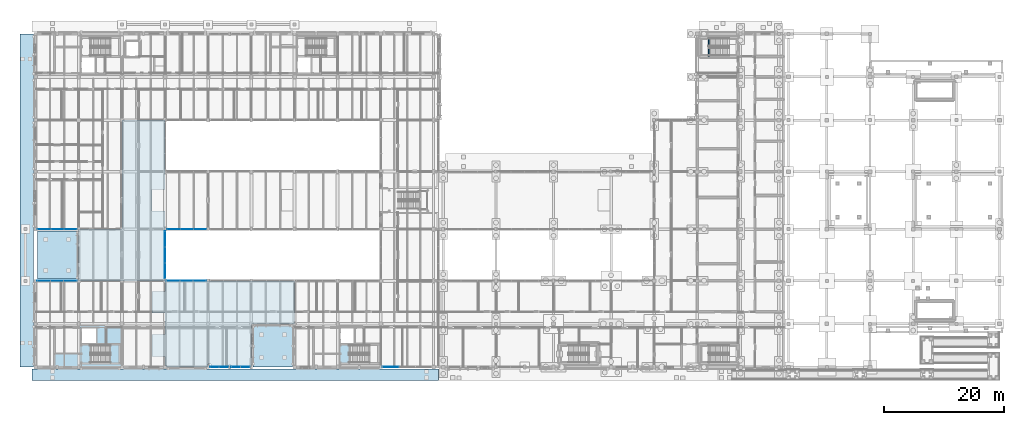
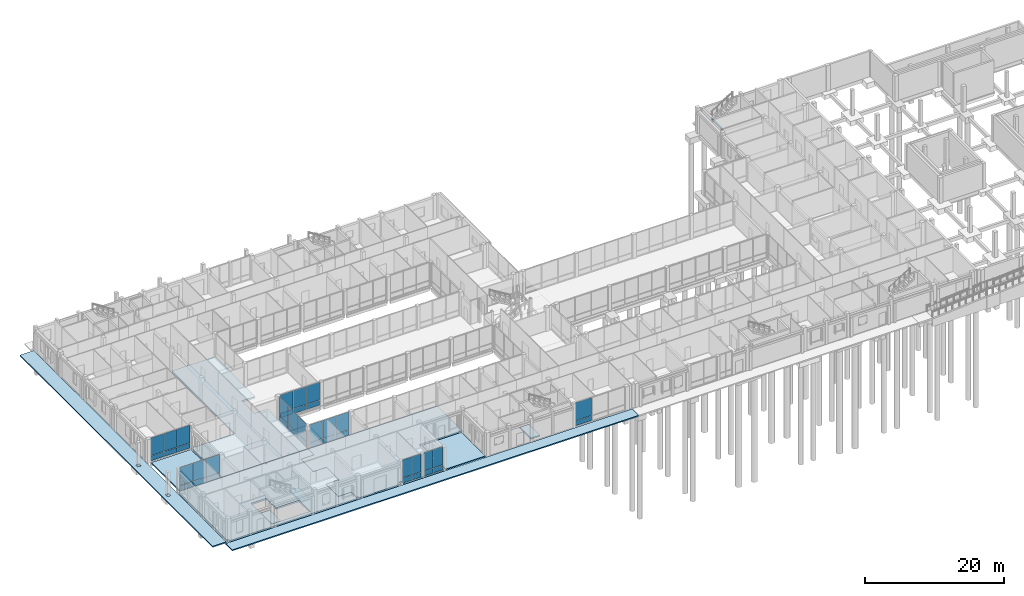
# One storey, part 62 of 104: 40 plates, 10 slabs, 1 beam, 10 elements without a shape of their own.
"""IFC4 building model written with IfcOpenShell, lengths in metres."""

from ifc_helpers import new_model, si_unit, direction, frame, origin, origin_2d, place, context, subcontext, project, spatial, polyline, rectangle, i_section, outline, extrude, material, layer, layer_set, material_profile, profile_set, type_object, element, aggregate, save


model = new_model("IFC4")

# Units and contexts
model_context = context("Model", 3, precision=1e-05, world=origin(), true_north=direction((0.0, 1.0)))
body_context = subcontext(model_context, "Body", "Model", "MODEL_VIEW")
ifc_project = project(units=[si_unit("LENGTHUNIT", "METRE"), si_unit("AREAUNIT", "SQUARE_METRE"), si_unit("VOLUMEUNIT", "CUBIC_METRE"), si_unit("PLANEANGLEUNIT", "RADIAN"), si_unit("MASSUNIT", "GRAM", prefix="KILO")], contexts=[model_context])

# Site, building, storey
site_placement = place(None, origin())
site = spatial("IfcSite", under=ifc_project, at=site_placement, CompositionType="ELEMENT")
building_placement = place(site_placement, origin())
building = spatial("IfcBuilding", under=site, at=building_placement, Name="Hawrajan Terrace Health Centre", CompositionType="ELEMENT")
storey_placement = place(building_placement, origin())
storey = spatial("IfcBuildingStorey", under=building, at=storey_placement, Name="L00", CompositionType="ELEMENT", Elevation=0.0)

# Beam
ifc_material_1 = material(Name="Steel S355", Category="steel")
ifc_material_profile = material_profile(ifc_material_1, i_section(OverallWidth=0.14990234375, OverallDepth=0.300048828125, WebThickness=0.007080078125, FlangeThickness=0.0107421875, FilletRadius=0.014892578125, at=origin_2d()), Name="IPE 300")
ifc_profile_set = profile_set([ifc_material_profile], Name="Steel S355")
beam_type = type_object("IfcBeamType", Name="SteelBeam_IPE300", PredefinedType="JOIST", material=ifc_profile_set)
beam_placement = place(storey_placement, frame((116.89990234375, 56.0, 1.8798828125), z_axis=(0.0, 1.0, 0.0), x_axis=(-1.0, 0.0, 0.0)))
element("IfcBeam", 1, at=beam_placement, inside=storey, type_object=beam_type, Name="Stair half-landing trimmer ST-7-L00-B1", PredefinedType="JOIST", context=body_context, shape_type="SweptSolid", body=[
    extrude(i_section(OverallWidth=0.14990234375, OverallDepth=0.300048828125, WebThickness=0.007080078125, FlangeThickness=0.0107421875, FilletRadius=0.014892578125, at=origin_2d()), origin(), (0.0, 0.0, 1.0), 3.199951171875),
])

# Curtain wall, plates
ifc_material_2 = material(Name="Anodized bronze aluminium and low-E solar glazing", Category="aluminium")
curtain_wall_type_1 = type_object("IfcCurtainWallType", Name="CW_Court_SeriesA2", PredefinedType="USERDEFINED", material=ifc_material_2)
curtain_wall_1_placement = place(storey_placement, origin())
curtain_wall_1 = element("IfcCurtainWall", 2, at=curtain_wall_1_placement, inside=storey, type_object=curtain_wall_type_1, Name="Curtain wall CW-L00-002", ObjectType="UNITISED CURTAIN WALL", PredefinedType="USERDEFINED")
ifc_material_3 = material(Name="Diffused north-light insulated glazing", Category="glass")
ifc_layer_1 = layer(ifc_material_3, 0.031982421875)
ifc_layer_set_1 = layer_set([ifc_layer_1], Name="Diffused north-light insulated glazing")
plate_type_1 = type_object("IfcPlateType", Name="ClerestoryGlassPanel_32", PredefinedType="CURTAIN_PANEL", material=ifc_layer_set_1)
plate_1_placement = place(storey_placement, frame((6.03759765625, 27.199951171875, 0.981689453125), z_axis=(0.0, 0.0, 1.0), x_axis=(1.0, 0.0, 0.0)))
plate_1 = element("IfcPlate", 3, at=plate_1_placement, type_object=plate_type_1, Name="Curtain panel CW-L00-002-P1-2", PredefinedType="CURTAIN_PANEL", context=body_context, shape_type="SweptSolid", body=[
    extrude(rectangle(XDim=2.136962890625, YDim=0.031982421875, at=origin_2d()), origin(), (0.0, 0.0, 1.0), 3.1494140625),
])
plate_2_placement = place(storey_placement, frame((8.237548828125, 27.199951171875, 0.981689453125), z_axis=(0.0, 0.0, 1.0), x_axis=(1.0, 0.0, 0.0)))
plate_2 = element("IfcPlate", 4, at=plate_2_placement, type_object=plate_type_1, Name="Curtain panel CW-L00-002-P2-2", PredefinedType="CURTAIN_PANEL", context=body_context, shape_type="SweptSolid", body=[
    extrude(rectangle(XDim=2.136962890625, YDim=0.031982421875, at=origin_2d()), origin(), (0.0, 0.0, 1.0), 3.1494140625),
])
plate_3_placement = place(storey_placement, frame((10.4375, 27.199951171875, 0.981689453125), z_axis=(0.0, 0.0, 1.0), x_axis=(1.0, 0.0, 0.0)))
plate_3 = element("IfcPlate", 5, at=plate_3_placement, type_object=plate_type_1, Name="Curtain panel CW-L00-002-P3-2", PredefinedType="CURTAIN_PANEL", context=body_context, shape_type="SweptSolid", body=[
    extrude(rectangle(XDim=2.136962890625, YDim=0.031982421875, at=origin_2d()), origin(), (0.0, 0.0, 1.0), 3.1494140625),
])

curtain_wall_type_2 = type_object("IfcCurtainWallType", Name="CW_Court_SeriesB2", PredefinedType="USERDEFINED", material=ifc_material_2)
curtain_wall_2_placement = place(storey_placement, origin())
curtain_wall_2 = element("IfcCurtainWall", 6, at=curtain_wall_2_placement, inside=storey, type_object=curtain_wall_type_2, Name="Curtain wall CW-L00-005", ObjectType="UNITISED CURTAIN WALL", PredefinedType="USERDEFINED")
plate_4_placement = place(storey_placement, frame((27.5625, 18.60009765625, 0.981689453125), z_axis=(0.0, 0.0, 1.0), x_axis=(1.0, 0.0, 0.0)))
plate_4 = element("IfcPlate", 7, at=plate_4_placement, type_object=plate_type_1, Name="Curtain panel CW-L00-005-P1-2", PredefinedType="CURTAIN_PANEL", context=body_context, shape_type="SweptSolid", body=[
    extrude(rectangle(XDim=2.136962890625, YDim=0.031982421875, at=origin_2d()), origin(), (0.0, 0.0, 1.0), 3.1494140625),
])
plate_5_placement = place(storey_placement, frame((29.762451171875, 18.60009765625, 0.981689453125), z_axis=(0.0, 0.0, 1.0), x_axis=(1.0, 0.0, 0.0)))
plate_5 = element("IfcPlate", 8, at=plate_5_placement, type_object=plate_type_1, Name="Curtain panel CW-L00-005-P2-2", PredefinedType="CURTAIN_PANEL", context=body_context, shape_type="SweptSolid", body=[
    extrude(rectangle(XDim=2.136962890625, YDim=0.031982421875, at=origin_2d()), origin(), (0.0, 0.0, 1.0), 3.1494140625),
])
plate_6_placement = place(storey_placement, frame((31.96240234375, 18.60009765625, 0.981689453125), z_axis=(0.0, 0.0, 1.0), x_axis=(1.0, 0.0, 0.0)))
plate_6 = element("IfcPlate", 9, at=plate_6_placement, type_object=plate_type_1, Name="Curtain panel CW-L00-005-P3-2", PredefinedType="CURTAIN_PANEL", context=body_context, shape_type="SweptSolid", body=[
    extrude(rectangle(XDim=2.136962890625, YDim=0.031982421875, at=origin_2d()), origin(), (0.0, 0.0, 1.0), 3.1494140625),
])

# Curtain wall, plate
curtain_wall_3_placement = place(storey_placement, origin())
curtain_wall_3 = element("IfcCurtainWall", 10, at=curtain_wall_3_placement, inside=storey, type_object=curtain_wall_type_2, Name="Curtain wall CW-L00-029", ObjectType="UNITISED CURTAIN WALL", PredefinedType="USERDEFINED")
plate_7_placement = place(storey_placement, frame((63.85009765625, 4.199951171875, 0.981689453125), z_axis=(0.0, 0.0, 1.0), x_axis=(1.0, 0.0, 0.0)))
plate_7 = element("IfcPlate", 11, at=plate_7_placement, type_object=plate_type_1, Name="Curtain panel CW-L00-029-P1-2", PredefinedType="CURTAIN_PANEL", context=body_context, shape_type="SweptSolid", body=[
    extrude(rectangle(XDim=2.662109375, YDim=0.031982421875, at=origin_2d()), origin(), (0.0, 0.0, 1.0), 3.1494140625),
])

# Slabs
ifc_material_4 = material(Name="Concrete C40/50", Category="concrete")
ifc_layer_2 = layer(ifc_material_4, 0.300048828125)
ifc_layer_set_2 = layer_set([ifc_layer_2], Name="Concrete C40/50")
slab_type_1 = type_object("IfcSlabType", Name="PodiumSlab_RC300", PredefinedType="FLOOR", material=ifc_layer_set_2)
slab_1_placement = place(storey_placement, frame((0.0, 0.0, -0.300048828125)))
element("IfcSlab", 12, at=slab_1_placement, inside=storey, type_object=slab_type_1, Name="Structural slab SL-L00-W-V1-Z0-1", PredefinedType="FLOOR", context=body_context, shape_type="SweptSolid", body=[
    extrude(outline(polyline([(19.0, 27.199951171875), (19.0, 36.800048828125), (19.0, 45.39990234375), (19.280029296875, 45.39990234375), (26.199951171875, 45.39990234375), (26.199951171875, 36.800048828125), (26.199951171875, 33.800048828125), (24.0, 33.800048828125), (24.0, 30.199951171875), (26.199951171875, 30.199951171875), (26.199951171875, 27.199951171875), (26.199951171875, 18.60009765625), (19.280029296875, 18.60009765625), (19.0, 18.60009765625), (11.800048828125, 18.60009765625), (11.800048828125, 27.199951171875), (19.0, 27.199951171875)])), origin(), (0.0, 0.0, 1.0), 0.300048828125),
])
slab_2_placement = place(storey_placement, frame((0.0, 0.0, -0.300048828125)))
element("IfcSlab", 13, at=slab_2_placement, inside=storey, type_object=slab_type_1, Name="Structural slab SL-L00-W-V4-Z0-1", PredefinedType="FLOOR", context=body_context, shape_type="SweptSolid", body=[
    extrude(outline(polyline([(11.798095703125, 18.60009765625), (11.798095703125, 18.597900390625), (19.0, 18.597900390625), (19.0, 18.320068359375), (19.280029296875, 18.320068359375), (19.280029296875, 18.597900390625), (26.199951171875, 18.597900390625), (26.199951171875, 16.800048828125), (24.0, 16.800048828125), (24.0, 13.199951171875), (26.199951171875, 13.199951171875), (26.199951171875, 11.39990234375), (26.199951171875, 9.60009765625), (24.0, 9.60009765625), (24.0, 6.0), (26.199951171875, 6.0), (26.199951171875, 4.47998046875), (26.199951171875, 4.199951171875), (19.0, 4.199951171875), (11.800048828125, 4.199951171875), (4.8798828125, 4.199951171875), (4.8798828125, 4.47998046875), (4.60009765625, 4.47998046875), (4.60009765625, 11.39990234375), (4.60009765625, 18.60009765625), (11.798095703125, 18.60009765625)]), holes=[polyline([(12.199951171875, 4.800048828125), (18.60009765625, 4.800048828125), (18.60009765625, 8.0), (14.800048828125, 8.0), (14.800048828125, 10.800048828125), (12.199951171875, 10.800048828125), (12.199951171875, 8.0), (12.199951171875, 4.800048828125)])]), origin(), (0.0, 0.0, 1.0), 0.300048828125),
])
slab_3_placement = place(storey_placement, frame((0.0, 0.0, -0.300048828125)))
element("IfcSlab", 14, at=slab_3_placement, inside=storey, type_object=slab_type_1, Name="Structural slab SL-L00-W-V4-Z1-1", PredefinedType="FLOOR", context=body_context, shape_type="SweptSolid", body=[
    extrude(outline(polyline([(33.39990234375, 18.60009765625), (40.60009765625, 18.60009765625), (47.800048828125, 18.60009765625), (47.800048828125, 18.322021484375), (47.798095703125, 18.322021484375), (47.798095703125, 11.39990234375), (40.60009765625, 11.39990234375), (40.60009765625, 4.199951171875), (33.89990234375, 4.199951171875), (33.89990234375, 4.699951171875), (33.39990234375, 4.699951171875), (33.39990234375, 4.199951171875), (26.47998046875, 4.199951171875), (26.47998046875, 4.47998046875), (26.201904296875, 4.47998046875), (26.201904296875, 6.001953125), (24.001953125, 6.001953125), (24.001953125, 9.597900390625), (26.201904296875, 9.597900390625), (26.201904296875, 13.201904296875), (24.001953125, 13.201904296875), (24.001953125, 16.798095703125), (26.201904296875, 16.798095703125), (26.201904296875, 18.597900390625), (26.201904296875, 18.60009765625), (33.39990234375, 18.60009765625)])), origin(), (0.0, 0.0, 1.0), 0.300048828125),
])
ifc_layer_3 = layer(ifc_material_4, 0.199951171875)
ifc_layer_set_3 = layer_set([ifc_layer_3], Name="Concrete C40/50")
slab_type_2 = type_object("IfcSlabType", Name="SiteApronPaving_RC200", PredefinedType="BASESLAB", material=ifc_layer_set_3)
slab_4_placement = place(storey_placement, frame((0.0, 0.0, -0.199951171875)))
element("IfcSlab", 15, at=slab_4_placement, inside=storey, type_object=slab_type_2, Name="South street promenade west apron APRON-L00-SOUTH-W", PredefinedType="BASESLAB", context=body_context, shape_type="SweptSolid", body=[
    extrude(outline(polyline([(4.0, 2.0), (71.77490234375, 2.0), (71.77490234375, 3.889892578125), (4.0, 3.889892578125), (4.0, 2.0)])), origin(), (0.0, 0.0, 1.0), 0.199951171875),
])
slab_5_placement = place(storey_placement, frame((0.0, 0.0, -0.199951171875)))
element("IfcSlab", 16, at=slab_5_placement, inside=storey, type_object=slab_type_2, Name="Patient drop-off forecourt and kerb apron APRON-L00-WEST", PredefinedType="BASESLAB", context=body_context, shape_type="SweptSolid", body=[
    extrude(outline(polyline([(2.0, 4.199951171875), (4.2900390625, 4.199951171875), (4.2900390625, 59.800048828125), (2.0, 59.800048828125), (2.0, 4.199951171875)]), holes=[polyline([(2.6201171875, 18.320068359375), (3.179931640625, 18.320068359375), (3.179931640625, 18.8798828125), (2.6201171875, 18.8798828125), (2.6201171875, 18.320068359375)]), polyline([(2.6201171875, 26.919921875), (3.179931640625, 26.919921875), (3.179931640625, 27.47998046875), (2.6201171875, 27.47998046875), (2.6201171875, 26.919921875)])]), origin(), (0.0, 0.0, 1.0), 0.199951171875),
])
slab_6_placement = place(storey_placement, frame((0.0, 0.0, -0.199951171875)))
element("IfcSlab", 17, at=slab_6_placement, inside=storey, type_object=slab_type_2, Name="West main entrance forecourt APRON-L00-FORECOURT", PredefinedType="BASESLAB", context=body_context, shape_type="SweptSolid", body=[
    extrude(outline(polyline([(4.909912109375, 18.909912109375), (11.489990234375, 18.909912109375), (11.489990234375, 26.889892578125), (4.909912109375, 26.889892578125), (4.909912109375, 18.909912109375)])), origin(), (0.0, 0.0, 1.0), 0.199951171875),
])
slab_7_placement = place(storey_placement, frame((0.0, 0.0, -0.199951171875)))
element("IfcSlab", 18, at=slab_7_placement, inside=storey, type_object=slab_type_2, Name="South ambulance forecourt APRON-L00-SOUTH-COURT", PredefinedType="BASESLAB", context=body_context, shape_type="SweptSolid", body=[
    extrude(outline(polyline([(40.909912109375, 4.199951171875), (47.489990234375, 4.199951171875), (47.489990234375, 11.090087890625), (40.909912109375, 11.090087890625), (40.909912109375, 4.199951171875)])), origin(), (0.0, 0.0, 1.0), 0.199951171875),
])

# Plate
ifc_material_5 = material(Name="Insulated anodized bronze spandrel panel")
ifc_layer_4 = layer(ifc_material_5, 0.048095703125)
ifc_layer_set_4 = layer_set([ifc_layer_4], Name="Insulated anodized bronze spandrel panel")
plate_type_2 = type_object("IfcPlateType", Name="SpandrelPanel_Bronze48", PredefinedType="CURTAIN_PANEL", material=ifc_layer_set_4)
plate_8_placement = place(storey_placement, frame((6.03759765625, 27.199951171875, 0.06884765625), z_axis=(0.0, 0.0, 1.0), x_axis=(1.0, 0.0, 0.0)))
plate_8 = element("IfcPlate", 19, at=plate_8_placement, type_object=plate_type_2, Name="Curtain panel CW-L00-002-P1-1", PredefinedType="CURTAIN_PANEL", context=body_context, shape_type="SweptSolid", body=[
    extrude(rectangle(XDim=2.136962890625, YDim=0.048095703125, at=origin_2d()), origin(), (0.0, 0.0, 1.0), 0.849609375),
])

plate_9_placement = place(storey_placement, frame((8.237548828125, 27.199951171875, 0.06884765625), z_axis=(0.0, 0.0, 1.0), x_axis=(1.0, 0.0, 0.0)))
plate_9 = element("IfcPlate", 20, at=plate_9_placement, type_object=plate_type_2, Name="Curtain panel CW-L00-002-P2-1", PredefinedType="CURTAIN_PANEL", context=body_context, shape_type="SweptSolid", body=[
    extrude(rectangle(XDim=2.136962890625, YDim=0.048095703125, at=origin_2d()), origin(), (0.0, 0.0, 1.0), 0.849609375),
])

plate_10_placement = place(storey_placement, frame((10.4375, 27.199951171875, 0.06884765625), z_axis=(0.0, 0.0, 1.0), x_axis=(1.0, 0.0, 0.0)))
plate_10 = element("IfcPlate", 21, at=plate_10_placement, type_object=plate_type_2, Name="Curtain panel CW-L00-002-P3-1", PredefinedType="CURTAIN_PANEL", context=body_context, shape_type="SweptSolid", body=[
    extrude(rectangle(XDim=2.136962890625, YDim=0.048095703125, at=origin_2d()), origin(), (0.0, 0.0, 1.0), 0.849609375),
])

aggregate(curtain_wall_1, [plate_8, plate_1, plate_9, plate_2, plate_10, plate_3])

# Curtain wall, plates
curtain_wall_type_3 = type_object("IfcCurtainWallType", Name="CW_Court_SeriesB3", PredefinedType="USERDEFINED", material=ifc_material_2)
curtain_wall_4_placement = place(storey_placement, origin())
curtain_wall_4 = element("IfcCurtainWall", 22, at=curtain_wall_4_placement, inside=storey, type_object=curtain_wall_type_3, Name="Curtain wall CW-L00-006", ObjectType="UNITISED CURTAIN WALL", PredefinedType="USERDEFINED")
plate_11_placement = place(storey_placement, frame((27.6298828125, 27.199951171875, 0.05908203125), z_axis=(0.0, 0.0, 1.0), x_axis=(1.0, 0.0, 0.0)))
plate_11 = element("IfcPlate", 23, at=plate_11_placement, type_object=plate_type_2, Name="Curtain panel CW-L00-006-P1-1", PredefinedType="CURTAIN_PANEL", context=body_context, shape_type="SweptSolid", body=[
    extrude(rectangle(XDim=2.14208984375, YDim=0.048095703125, at=origin_2d()), origin(), (0.0, 0.0, 1.0), 0.864501953125),
])
plate_12_placement = place(storey_placement, frame((29.824951171875, 27.199951171875, 0.05908203125), z_axis=(0.0, 0.0, 1.0), x_axis=(1.0, 0.0, 0.0)))
plate_12 = element("IfcPlate", 24, at=plate_12_placement, type_object=plate_type_2, Name="Curtain panel CW-L00-006-P2-1", PredefinedType="CURTAIN_PANEL", context=body_context, shape_type="SweptSolid", body=[
    extrude(rectangle(XDim=2.14208984375, YDim=0.048095703125, at=origin_2d()), origin(), (0.0, 0.0, 1.0), 0.864501953125),
])
plate_13_placement = place(storey_placement, frame((32.02001953125, 27.199951171875, 0.05908203125), z_axis=(0.0, 0.0, 1.0), x_axis=(1.0, 0.0, 0.0)))
plate_13 = element("IfcPlate", 25, at=plate_13_placement, type_object=plate_type_2, Name="Curtain panel CW-L00-006-P3-1", PredefinedType="CURTAIN_PANEL", context=body_context, shape_type="SweptSolid", body=[
    extrude(rectangle(XDim=2.14208984375, YDim=0.048095703125, at=origin_2d()), origin(), (0.0, 0.0, 1.0), 0.864501953125),
])

curtain_wall_type_4 = type_object("IfcCurtainWallType", Name="CW_Hall_SeriesD1", PredefinedType="USERDEFINED", material=ifc_material_2)
curtain_wall_5_placement = place(storey_placement, origin())
curtain_wall_5 = element("IfcCurtainWall", 26, at=curtain_wall_5_placement, inside=storey, type_object=curtain_wall_type_4, Name="Curtain wall CW-L00-010", ObjectType="UNITISED CURTAIN WALL", PredefinedType="USERDEFINED")
plate_14_placement = place(storey_placement, frame((38.010009765625, 4.199951171875, 0.05908203125), z_axis=(0.0, 0.0, 1.0), x_axis=(1.0, 0.0, 0.0)))
plate_14 = element("IfcPlate", 27, at=plate_14_placement, type_object=plate_type_2, Name="Curtain panel CW-L00-010-P1-1", PredefinedType="CURTAIN_PANEL", context=body_context, shape_type="SweptSolid", body=[
    extrude(rectangle(XDim=1.501953125, YDim=0.048095703125, at=origin_2d()), origin(), (0.0, 0.0, 1.0), 0.864501953125),
])
plate_15_placement = place(storey_placement, frame((39.56494140625, 4.199951171875, 0.05908203125), z_axis=(0.0, 0.0, 1.0), x_axis=(1.0, 0.0, 0.0)))
plate_15 = element("IfcPlate", 28, at=plate_15_placement, type_object=plate_type_2, Name="Curtain panel CW-L00-010-P2-1", PredefinedType="CURTAIN_PANEL", context=body_context, shape_type="SweptSolid", body=[
    extrude(rectangle(XDim=1.501953125, YDim=0.048095703125, at=origin_2d()), origin(), (0.0, 0.0, 1.0), 0.864501953125),
])

curtain_wall_type_5 = type_object("IfcCurtainWallType", Name="CW_Court_SeriesA1", PredefinedType="USERDEFINED", material=ifc_material_2)
curtain_wall_6_placement = place(storey_placement, origin())
curtain_wall_6 = element("IfcCurtainWall", 29, at=curtain_wall_6_placement, inside=storey, type_object=curtain_wall_type_5, Name="Curtain wall CW-L00-001", ObjectType="UNITISED CURTAIN WALL", PredefinedType="USERDEFINED")
ifc_material_6 = material(Name="Insulated reconstituted coral-stone spandrel", Category="masonry")
ifc_layer_5 = layer(ifc_material_6, 0.055908203125)
ifc_layer_set_5 = layer_set([ifc_layer_5], Name="Insulated reconstituted coral-stone spandrel")
plate_type_3 = type_object("IfcPlateType", Name="SpandrelPanel_Coral56", PredefinedType="CURTAIN_PANEL", material=ifc_layer_set_5)
plate_16_placement = place(storey_placement, frame((5.97998046875, 18.60009765625, 0.05908203125), z_axis=(0.0, 0.0, 1.0), x_axis=(1.0, 0.0, 0.0)))
plate_16 = element("IfcPlate", 30, at=plate_16_placement, type_object=plate_type_3, Name="Curtain panel CW-L00-001-P1-1", PredefinedType="CURTAIN_PANEL", context=body_context, shape_type="SweptSolid", body=[
    extrude(rectangle(XDim=2.14208984375, YDim=0.055908203125, at=origin_2d()), origin(), (0.0, 0.0, 1.0), 0.864501953125),
])
plate_17_placement = place(storey_placement, frame((8.175048828125, 18.60009765625, 0.05908203125), z_axis=(0.0, 0.0, 1.0), x_axis=(1.0, 0.0, 0.0)))
plate_17 = element("IfcPlate", 31, at=plate_17_placement, type_object=plate_type_3, Name="Curtain panel CW-L00-001-P2-1", PredefinedType="CURTAIN_PANEL", context=body_context, shape_type="SweptSolid", body=[
    extrude(rectangle(XDim=2.14208984375, YDim=0.055908203125, at=origin_2d()), origin(), (0.0, 0.0, 1.0), 0.864501953125),
])
plate_18_placement = place(storey_placement, frame((10.3701171875, 18.60009765625, 0.05908203125), z_axis=(0.0, 0.0, 1.0), x_axis=(1.0, 0.0, 0.0)))
plate_18 = element("IfcPlate", 32, at=plate_18_placement, type_object=plate_type_3, Name="Curtain panel CW-L00-001-P3-1", PredefinedType="CURTAIN_PANEL", context=body_context, shape_type="SweptSolid", body=[
    extrude(rectangle(XDim=2.14208984375, YDim=0.055908203125, at=origin_2d()), origin(), (0.0, 0.0, 1.0), 0.864501953125),
])

curtain_wall_type_6 = type_object("IfcCurtainWallType", Name="CW_Court_SeriesA3", PredefinedType="USERDEFINED", material=ifc_material_2)
curtain_wall_7_placement = place(storey_placement, origin())
curtain_wall_7 = element("IfcCurtainWall", 33, at=curtain_wall_7_placement, inside=storey, type_object=curtain_wall_type_6, Name="Curtain wall CW-L00-003", ObjectType="UNITISED CURTAIN WALL", PredefinedType="USERDEFINED")
plate_19_placement = place(storey_placement, frame((26.199951171875, 20.27587890625, 0.05908203125), z_axis=(0.0, 0.0, 1.0), x_axis=(0.0, 1.0, 0.0)))
plate_19 = element("IfcPlate", 34, at=plate_19_placement, type_object=plate_type_3, Name="Curtain panel CW-L00-003-P1-1", PredefinedType="CURTAIN_PANEL", context=body_context, shape_type="SweptSolid", body=[
    extrude(rectangle(XDim=2.583740234375, YDim=0.055908203125, at=origin_2d()), origin(), (0.0, 0.0, 1.0), 0.864501953125),
])
plate_20_placement = place(storey_placement, frame((26.199951171875, 22.91259765625, 0.05908203125), z_axis=(0.0, 0.0, 1.0), x_axis=(0.0, 1.0, 0.0)))
plate_20 = element("IfcPlate", 35, at=plate_20_placement, type_object=plate_type_3, Name="Curtain panel CW-L00-003-P2-1", PredefinedType="CURTAIN_PANEL", context=body_context, shape_type="SweptSolid", body=[
    extrude(rectangle(XDim=2.583740234375, YDim=0.055908203125, at=origin_2d()), origin(), (0.0, 0.0, 1.0), 0.864501953125),
])
plate_21_placement = place(storey_placement, frame((26.199951171875, 25.54931640625, 0.05908203125), z_axis=(0.0, 0.0, 1.0), x_axis=(0.0, 1.0, 0.0)))
plate_21 = element("IfcPlate", 36, at=plate_21_placement, type_object=plate_type_3, Name="Curtain panel CW-L00-003-P3-1", PredefinedType="CURTAIN_PANEL", context=body_context, shape_type="SweptSolid", body=[
    extrude(rectangle(XDim=2.583740234375, YDim=0.055908203125, at=origin_2d()), origin(), (0.0, 0.0, 1.0), 0.864501953125),
])

# Plate
plate_22_placement = place(storey_placement, frame((27.5625, 18.60009765625, 0.06884765625), z_axis=(0.0, 0.0, 1.0), x_axis=(1.0, 0.0, 0.0)))
plate_22 = element("IfcPlate", 37, at=plate_22_placement, type_object=plate_type_3, Name="Curtain panel CW-L00-005-P1-1", PredefinedType="CURTAIN_PANEL", context=body_context, shape_type="SweptSolid", body=[
    extrude(rectangle(XDim=2.136962890625, YDim=0.055908203125, at=origin_2d()), origin(), (0.0, 0.0, 1.0), 0.849609375),
])

plate_23_placement = place(storey_placement, frame((29.762451171875, 18.60009765625, 0.06884765625), z_axis=(0.0, 0.0, 1.0), x_axis=(1.0, 0.0, 0.0)))
plate_23 = element("IfcPlate", 38, at=plate_23_placement, type_object=plate_type_3, Name="Curtain panel CW-L00-005-P2-1", PredefinedType="CURTAIN_PANEL", context=body_context, shape_type="SweptSolid", body=[
    extrude(rectangle(XDim=2.136962890625, YDim=0.055908203125, at=origin_2d()), origin(), (0.0, 0.0, 1.0), 0.849609375),
])

plate_24_placement = place(storey_placement, frame((31.96240234375, 18.60009765625, 0.06884765625), z_axis=(0.0, 0.0, 1.0), x_axis=(1.0, 0.0, 0.0)))
plate_24 = element("IfcPlate", 39, at=plate_24_placement, type_object=plate_type_3, Name="Curtain panel CW-L00-005-P3-1", PredefinedType="CURTAIN_PANEL", context=body_context, shape_type="SweptSolid", body=[
    extrude(rectangle(XDim=2.136962890625, YDim=0.055908203125, at=origin_2d()), origin(), (0.0, 0.0, 1.0), 0.849609375),
])

aggregate(curtain_wall_2, [plate_22, plate_4, plate_23, plate_5, plate_24, plate_6])

# Curtain wall, plates
curtain_wall_type_7 = type_object("IfcCurtainWallType", Name="CW_CourtNS_SeriesC3", PredefinedType="USERDEFINED", material=ifc_material_2)
curtain_wall_8_placement = place(storey_placement, origin())
curtain_wall_8 = element("IfcCurtainWall", 40, at=curtain_wall_8_placement, inside=storey, type_object=curtain_wall_type_7, Name="Curtain wall CW-L00-009", ObjectType="UNITISED CURTAIN WALL", PredefinedType="USERDEFINED")
plate_25_placement = place(storey_placement, frame((34.45361328125, 4.199951171875, 0.05908203125), z_axis=(0.0, 0.0, 1.0), x_axis=(1.0, 0.0, 0.0)))
plate_25 = element("IfcPlate", 41, at=plate_25_placement, type_object=plate_type_3, Name="Curtain panel CW-L00-009-P1-1", PredefinedType="CURTAIN_PANEL", context=body_context, shape_type="SweptSolid", body=[
    extrude(rectangle(XDim=1.489501953125, YDim=0.055908203125, at=origin_2d()), origin(), (0.0, 0.0, 1.0), 0.864501953125),
])
plate_26_placement = place(storey_placement, frame((35.99609375, 4.199951171875, 0.05908203125), z_axis=(0.0, 0.0, 1.0), x_axis=(1.0, 0.0, 0.0)))
plate_26 = element("IfcPlate", 42, at=plate_26_placement, type_object=plate_type_3, Name="Curtain panel CW-L00-009-P2-1", PredefinedType="CURTAIN_PANEL", context=body_context, shape_type="SweptSolid", body=[
    extrude(rectangle(XDim=1.489501953125, YDim=0.055908203125, at=origin_2d()), origin(), (0.0, 0.0, 1.0), 0.864501953125),
])

# Plate
plate_27_placement = place(storey_placement, frame((63.85009765625, 4.199951171875, 0.06884765625), z_axis=(0.0, 0.0, 1.0), x_axis=(1.0, 0.0, 0.0)))
plate_27 = element("IfcPlate", 43, at=plate_27_placement, type_object=plate_type_3, Name="Curtain panel CW-L00-029-P1-1", PredefinedType="CURTAIN_PANEL", context=body_context, shape_type="SweptSolid", body=[
    extrude(rectangle(XDim=2.662109375, YDim=0.055908203125, at=origin_2d()), origin(), (0.0, 0.0, 1.0), 0.849609375),
])

aggregate(curtain_wall_3, [plate_27, plate_7])

# Stair, slabs
stair_type = type_object("IfcStairType", Name="Stair_4500_W1300", PredefinedType="HALF_TURN_STAIR", material=ifc_material_4)
stair_1_placement = place(storey_placement, origin())
stair_1 = element("IfcStair", 44, at=stair_1_placement, inside=storey, type_object=stair_type, Name="Stair ST-3-L00", PredefinedType="HALF_TURN_STAIR")
ifc_layer_6 = layer(ifc_material_4, 0.219970703125)
ifc_layer_set_6 = layer_set([ifc_layer_6], Name="Concrete C40/50")
slab_type_3 = type_object("IfcSlabType", Name="StairLanding_RC220", PredefinedType="LANDING", material=ifc_layer_set_6)
slab_8_placement = place(storey_placement, frame((0.0, 0.0, -0.219970703125)))
slab_8 = element("IfcSlab", 45, at=slab_8_placement, type_object=slab_type_3, Name="Stair floor landing ST-3-L00-L0", PredefinedType="LANDING", context=body_context, shape_type="SweptSolid", body=[
    extrude(outline(polyline([(12.199951171875, 4.800048828125), (13.699951171875, 4.800048828125), (13.699951171875, 8.0), (12.199951171875, 8.0), (12.199951171875, 4.800048828125)])), origin(), (0.0, 0.0, 1.0), 0.219970703125),
])
slab_9_placement = place(storey_placement, frame((0.0, 0.0, 2.030029296875)))
slab_9 = element("IfcSlab", 46, at=slab_9_placement, type_object=slab_type_3, Name="Stair half landing ST-3-L00-L1", PredefinedType="LANDING", context=body_context, shape_type="SweptSolid", body=[
    extrude(outline(polyline([(17.10009765625, 4.800048828125), (18.60009765625, 4.800048828125), (18.60009765625, 8.0), (17.10009765625, 8.0), (17.10009765625, 4.800048828125)])), origin(), (0.0, 0.0, 1.0), 0.219970703125),
])
aggregate(stair_1, [slab_8, slab_9])

# Stair, slab
stair_2_placement = place(storey_placement, origin())
stair_2 = element("IfcStair", 47, at=stair_2_placement, inside=storey, type_object=stair_type, Name="Stair ST-4-L00", PredefinedType="HALF_TURN_STAIR")
slab_10_placement = place(storey_placement, frame((0.0, 0.0, -0.219970703125)))
slab_10 = element("IfcSlab", 48, at=slab_10_placement, type_object=slab_type_3, Name="Stair floor landing ST-4-L00-L0", PredefinedType="LANDING", context=body_context, shape_type="SweptSolid", body=[
    extrude(outline(polyline([(55.39990234375, 4.800048828125), (56.89990234375, 4.800048828125), (56.89990234375, 8.0), (55.39990234375, 8.0), (55.39990234375, 4.800048828125)])), origin(), (0.0, 0.0, 1.0), 0.219970703125),
])
aggregate(stair_2, [slab_10])

# Plate
ifc_material_7 = material(Name="Double-glazed solar control low-E glass", Category="glass")
ifc_layer_7 = layer(ifc_material_7, 0.028076171875)
ifc_layer_set_7 = layer_set([ifc_layer_7], Name="Double-glazed solar control low-E glass")
plate_type_4 = type_object("IfcPlateType", Name="VisionGlassPanel_28", PredefinedType="CURTAIN_PANEL", material=ifc_layer_set_7)
plate_28_placement = place(storey_placement, frame((26.199951171875, 20.27587890625, 0.9765625), z_axis=(0.0, 0.0, 1.0), x_axis=(0.0, 1.0, 0.0)))
plate_28 = element("IfcPlate", 49, at=plate_28_placement, type_object=plate_type_4, Name="Curtain panel CW-L00-003-P1-2", PredefinedType="CURTAIN_PANEL", context=body_context, shape_type="SweptSolid", body=[
    extrude(rectangle(XDim=2.583740234375, YDim=0.028076171875, at=origin_2d()), origin(), (0.0, 0.0, 1.0), 3.16455078125),
])

plate_29_placement = place(storey_placement, frame((26.199951171875, 22.91259765625, 0.9765625), z_axis=(0.0, 0.0, 1.0), x_axis=(0.0, 1.0, 0.0)))
plate_29 = element("IfcPlate", 50, at=plate_29_placement, type_object=plate_type_4, Name="Curtain panel CW-L00-003-P2-2", PredefinedType="CURTAIN_PANEL", context=body_context, shape_type="SweptSolid", body=[
    extrude(rectangle(XDim=2.583740234375, YDim=0.028076171875, at=origin_2d()), origin(), (0.0, 0.0, 1.0), 3.16455078125),
])

plate_30_placement = place(storey_placement, frame((26.199951171875, 25.54931640625, 0.9765625), z_axis=(0.0, 0.0, 1.0), x_axis=(0.0, 1.0, 0.0)))
plate_30 = element("IfcPlate", 51, at=plate_30_placement, type_object=plate_type_4, Name="Curtain panel CW-L00-003-P3-2", PredefinedType="CURTAIN_PANEL", context=body_context, shape_type="SweptSolid", body=[
    extrude(rectangle(XDim=2.583740234375, YDim=0.028076171875, at=origin_2d()), origin(), (0.0, 0.0, 1.0), 3.16455078125),
])

aggregate(curtain_wall_7, [plate_19, plate_28, plate_20, plate_29, plate_21, plate_30])

plate_31_placement = place(storey_placement, frame((27.6298828125, 27.199951171875, 0.9765625), z_axis=(0.0, 0.0, 1.0), x_axis=(1.0, 0.0, 0.0)))
plate_31 = element("IfcPlate", 52, at=plate_31_placement, type_object=plate_type_4, Name="Curtain panel CW-L00-006-P1-2", PredefinedType="CURTAIN_PANEL", context=body_context, shape_type="SweptSolid", body=[
    extrude(rectangle(XDim=2.14208984375, YDim=0.028076171875, at=origin_2d()), origin(), (0.0, 0.0, 1.0), 3.16455078125),
])

plate_32_placement = place(storey_placement, frame((29.824951171875, 27.199951171875, 0.9765625), z_axis=(0.0, 0.0, 1.0), x_axis=(1.0, 0.0, 0.0)))
plate_32 = element("IfcPlate", 53, at=plate_32_placement, type_object=plate_type_4, Name="Curtain panel CW-L00-006-P2-2", PredefinedType="CURTAIN_PANEL", context=body_context, shape_type="SweptSolid", body=[
    extrude(rectangle(XDim=2.14208984375, YDim=0.028076171875, at=origin_2d()), origin(), (0.0, 0.0, 1.0), 3.16455078125),
])

plate_33_placement = place(storey_placement, frame((32.02001953125, 27.199951171875, 0.9765625), z_axis=(0.0, 0.0, 1.0), x_axis=(1.0, 0.0, 0.0)))
plate_33 = element("IfcPlate", 54, at=plate_33_placement, type_object=plate_type_4, Name="Curtain panel CW-L00-006-P3-2", PredefinedType="CURTAIN_PANEL", context=body_context, shape_type="SweptSolid", body=[
    extrude(rectangle(XDim=2.14208984375, YDim=0.028076171875, at=origin_2d()), origin(), (0.0, 0.0, 1.0), 3.16455078125),
])

aggregate(curtain_wall_4, [plate_11, plate_31, plate_12, plate_32, plate_13, plate_33])

plate_34_placement = place(storey_placement, frame((34.45361328125, 4.199951171875, 0.9765625), z_axis=(0.0, 0.0, 1.0), x_axis=(1.0, 0.0, 0.0)))
plate_34 = element("IfcPlate", 55, at=plate_34_placement, type_object=plate_type_4, Name="Curtain panel CW-L00-009-P1-2", PredefinedType="CURTAIN_PANEL", context=body_context, shape_type="SweptSolid", body=[
    extrude(rectangle(XDim=1.489501953125, YDim=0.028076171875, at=origin_2d()), origin(), (0.0, 0.0, 1.0), 3.16455078125),
])

plate_35_placement = place(storey_placement, frame((35.99609375, 4.199951171875, 0.9765625), z_axis=(0.0, 0.0, 1.0), x_axis=(1.0, 0.0, 0.0)))
plate_35 = element("IfcPlate", 56, at=plate_35_placement, type_object=plate_type_4, Name="Curtain panel CW-L00-009-P2-2", PredefinedType="CURTAIN_PANEL", context=body_context, shape_type="SweptSolid", body=[
    extrude(rectangle(XDim=1.489501953125, YDim=0.028076171875, at=origin_2d()), origin(), (0.0, 0.0, 1.0), 3.16455078125),
])

aggregate(curtain_wall_8, [plate_25, plate_34, plate_26, plate_35])

ifc_material_8 = material(Name="Triple-glazed solar acoustic low-E glass", Category="glass")
ifc_layer_8 = layer(ifc_material_8, 0.035888671875)
ifc_layer_set_8 = layer_set([ifc_layer_8], Name="Triple-glazed solar acoustic low-E glass")
plate_type_5 = type_object("IfcPlateType", Name="VisionGlassPanel_36", PredefinedType="CURTAIN_PANEL", material=ifc_layer_set_8)
plate_36_placement = place(storey_placement, frame((5.97998046875, 18.60009765625, 0.9765625), z_axis=(0.0, 0.0, 1.0), x_axis=(1.0, 0.0, 0.0)))
plate_36 = element("IfcPlate", 57, at=plate_36_placement, type_object=plate_type_5, Name="Curtain panel CW-L00-001-P1-2", PredefinedType="CURTAIN_PANEL", context=body_context, shape_type="SweptSolid", body=[
    extrude(rectangle(XDim=2.14208984375, YDim=0.035888671875, at=origin_2d()), origin(), (0.0, 0.0, 1.0), 3.16455078125),
])

plate_37_placement = place(storey_placement, frame((8.175048828125, 18.60009765625, 0.9765625), z_axis=(0.0, 0.0, 1.0), x_axis=(1.0, 0.0, 0.0)))
plate_37 = element("IfcPlate", 58, at=plate_37_placement, type_object=plate_type_5, Name="Curtain panel CW-L00-001-P2-2", PredefinedType="CURTAIN_PANEL", context=body_context, shape_type="SweptSolid", body=[
    extrude(rectangle(XDim=2.14208984375, YDim=0.035888671875, at=origin_2d()), origin(), (0.0, 0.0, 1.0), 3.16455078125),
])

plate_38_placement = place(storey_placement, frame((10.3701171875, 18.60009765625, 0.9765625), z_axis=(0.0, 0.0, 1.0), x_axis=(1.0, 0.0, 0.0)))
plate_38 = element("IfcPlate", 59, at=plate_38_placement, type_object=plate_type_5, Name="Curtain panel CW-L00-001-P3-2", PredefinedType="CURTAIN_PANEL", context=body_context, shape_type="SweptSolid", body=[
    extrude(rectangle(XDim=2.14208984375, YDim=0.035888671875, at=origin_2d()), origin(), (0.0, 0.0, 1.0), 3.16455078125),
])

aggregate(curtain_wall_6, [plate_16, plate_36, plate_17, plate_37, plate_18, plate_38])

plate_39_placement = place(storey_placement, frame((38.010009765625, 4.199951171875, 0.9765625), z_axis=(0.0, 0.0, 1.0), x_axis=(1.0, 0.0, 0.0)))
plate_39 = element("IfcPlate", 60, at=plate_39_placement, type_object=plate_type_5, Name="Curtain panel CW-L00-010-P1-2", PredefinedType="CURTAIN_PANEL", context=body_context, shape_type="SweptSolid", body=[
    extrude(rectangle(XDim=1.501953125, YDim=0.035888671875, at=origin_2d()), origin(), (0.0, 0.0, 1.0), 3.16455078125),
])

plate_40_placement = place(storey_placement, frame((39.56494140625, 4.199951171875, 0.9765625), z_axis=(0.0, 0.0, 1.0), x_axis=(1.0, 0.0, 0.0)))
plate_40 = element("IfcPlate", 61, at=plate_40_placement, type_object=plate_type_5, Name="Curtain panel CW-L00-010-P2-2", PredefinedType="CURTAIN_PANEL", context=body_context, shape_type="SweptSolid", body=[
    extrude(rectangle(XDim=1.501953125, YDim=0.035888671875, at=origin_2d()), origin(), (0.0, 0.0, 1.0), 3.16455078125),
])

aggregate(curtain_wall_5, [plate_14, plate_39, plate_15, plate_40])

save(model, "model.ifc")
